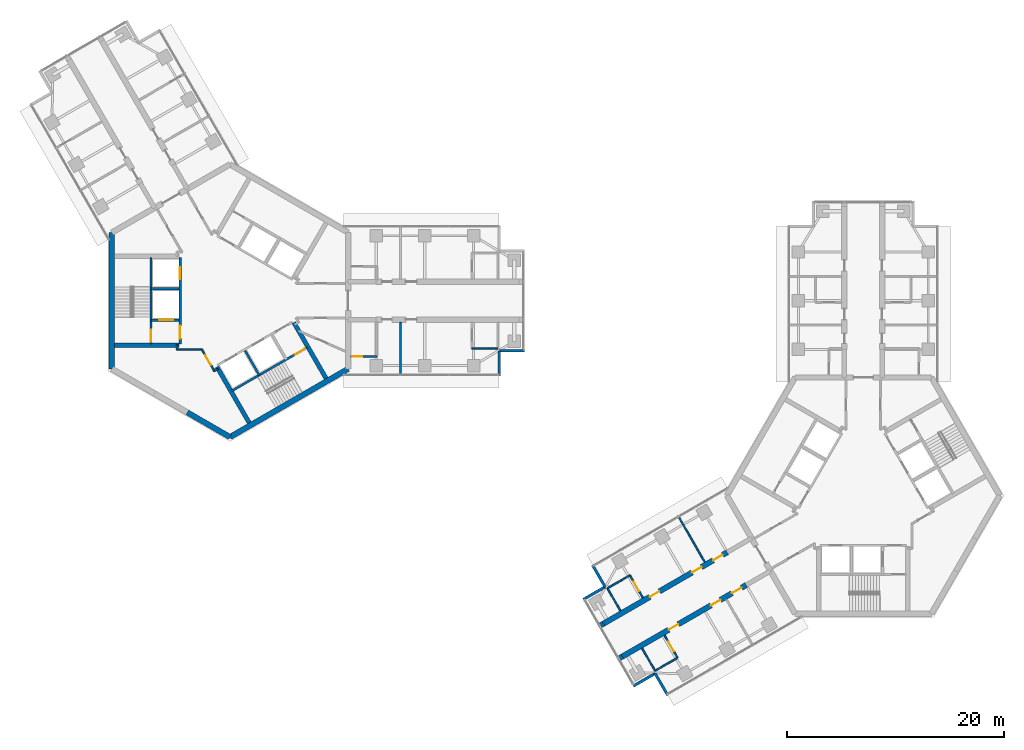
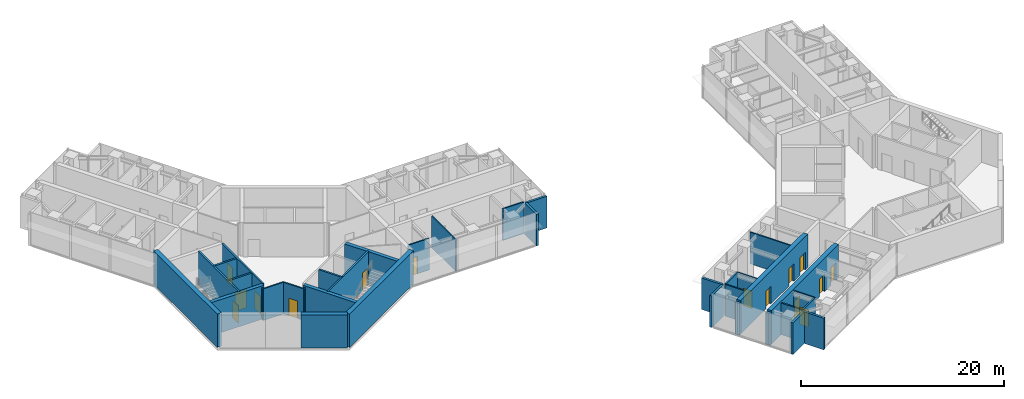
# One storey, part 11 of 17: 36 walls, 15 doors, 15 openings.
"""IFC4 building model written with IfcOpenShell, lengths in metres."""

from ifc_helpers import new_model, si_unit, direction, frame, frame_2d, origin, place, context, subcontext, project, spatial, rectangle, extrude, material, layer, layer_set, type_object, element, fill, save


model = new_model("IFC4")

# Units and contexts
model_context = context("Model", 3, precision=1e-05, world=origin(), true_north=direction((0.0, 1.0)))
body_context = subcontext(model_context, "Body", "Model", "MODEL_VIEW")
ifc_project = project(units=[si_unit("LENGTHUNIT", "METRE"), si_unit("AREAUNIT", "SQUARE_METRE"), si_unit("VOLUMEUNIT", "CUBIC_METRE"), si_unit("PLANEANGLEUNIT", "RADIAN"), si_unit("MASSUNIT", "GRAM", prefix="KILO")], contexts=[model_context])

# Site, building, storey
site_placement = place(None, origin())
site = spatial("IfcSite", under=ifc_project, at=site_placement, CompositionType="ELEMENT")
building_placement = place(site_placement, origin())
building = spatial("IfcBuilding", under=site, at=building_placement, Name="Upepo Twin Towers", CompositionType="ELEMENT")
storey_placement = place(building_placement, frame((0.0, 0.0, 198.5)))
storey = spatial("IfcBuildingStorey", under=building, at=storey_placement, Name="L48", CompositionType="ELEMENT", Elevation=198.5)

# Walls
ifc_material_1 = material(Name="Dense concrete blockwork", Category="masonry")
ifc_layer_1 = layer(ifc_material_1, 0.5)
ifc_layer_set_1 = layer_set([ifc_layer_1], Name="Buttress closer 500, blockwork with fire-stopping to the curtain wall")
wall_type_1 = type_object("IfcWallType", Name="Buttress closer 500, blockwork with fire-stopping to the curtain wall", PredefinedType="PARTITIONING", material=ifc_layer_set_1)
for number, where, z_axis, x_axis, name in (
    (1, (36.252197265625, -32.865478515625, 0.0), (0.0, 0.0, 1.0), (-0.86598763626, -0.500065409566, 0.0), "T2 L48 wing B buttress closer L"),
    (2, (34.502197265625, -29.83447265625, 0.0), (0.0, 0.0, 1.0), (-0.86598763626, -0.500065409566, 0.0), "T2 L48 wing B buttress closer R"),
):
    element("IfcWall", number, at=place(storey_placement, frame(where, z_axis=z_axis, x_axis=x_axis)), inside=storey, type_object=wall_type_1, Name=name, PredefinedType="PARTITIONING", context=body_context, shape_type="SweptSolid", body=[
        extrude(rectangle(XDim=0.28759765625, YDim=0.5, at=frame_2d((0.143798828125, 0.0))), origin(), (0.0, 0.0, 1.0), 3.800048828125),
    ])

# Wall, openings, doors
ifc_material_2 = material(Name="Concrete C60/75", Category="concrete")
ifc_layer_2 = layer(ifc_material_2, 0.5)
ifc_layer_set_2 = layer_set([ifc_layer_2], Name="Concrete C60/75")
wall_type_2 = type_object("IfcWallType", Name="Buttress wall 500 RC", PredefinedType="SHEAR", material=ifc_layer_set_2)
wall_1_placement = place(storey_placement, frame((47.68359375, -26.265625, 0.0), z_axis=(0.0, 0.0, 1.0), x_axis=(-0.866027579429, -0.499996231654, 0.0)))
wall_1 = element("IfcWall", 3, at=wall_1_placement, inside=storey, type_object=wall_type_2, Name="T2 wing B buttress wall L part 2", PredefinedType="SHEAR", context=body_context, shape_type="SweptSolid", body=[
    extrude(rectangle(XDim=13.19970703125, YDim=0.5, at=frame_2d((6.599853515625, 0.0))), origin(), (0.0, 0.0, 1.0), 4.0),
])
opening_1_placement = place(wall_1_placement, frame((0.5, 0.0, 0.0)))
opening_1 = element("IfcOpeningElement", 4, at=opening_1_placement, cuts=wall_1, Name="Opening D1", PredefinedType="OPENING", context=body_context, shape_type="SweptSolid", body=[
    extrude(rectangle(XDim=1.0, YDim=2.10009765625, at=frame_2d((0.5, 1.050048828125))), frame((0.0, 0.260009765625, 0.0), z_axis=(0.0, -1.0, 0.0), x_axis=(1.0, 0.0, 0.0)), (0.0, 0.0, 1.0), 0.52001953125),
])
opening_2_placement = place(wall_1_placement, frame((2.75, 0.0, 0.0)))
opening_2 = element("IfcOpeningElement", 5, at=opening_2_placement, cuts=wall_1, Name="Opening D1", PredefinedType="OPENING", context=body_context, shape_type="SweptSolid", body=[
    extrude(rectangle(XDim=1.0, YDim=2.10009765625, at=frame_2d((0.5, 1.050048828125))), frame((0.0, 0.260009765625, 0.0), z_axis=(0.0, -1.0, 0.0), x_axis=(1.0, 0.0, 0.0)), (0.0, 0.0, 1.0), 0.52001953125),
])
opening_3_placement = place(wall_1_placement, frame((7.25, 0.0, 0.0)))
opening_3 = element("IfcOpeningElement", 6, at=opening_3_placement, cuts=wall_1, Name="Opening D1", PredefinedType="OPENING", context=body_context, shape_type="SweptSolid", body=[
    extrude(rectangle(XDim=1.0, YDim=2.10009765625, at=frame_2d((0.5, 1.050048828125))), frame((0.0, 0.260009765625, 0.0), z_axis=(0.0, -1.0, 0.0), x_axis=(1.0, 0.0, 0.0)), (0.0, 0.0, 1.0), 0.52001953125),
])
ifc_material_3 = material(Name="Timber doorset", Category="wood")
door_type_1 = type_object("IfcDoorType", Name="Room door 1000 FD30", OperationType="SINGLE_SWING_LEFT", PredefinedType="DOOR", material=ifc_material_3)
door_1_placement = place(opening_1_placement, origin())
door_1 = element("IfcDoor", 7, at=door_1_placement, inside=storey, type_object=door_type_1, Name="T2 L48 tutorial room door", OperationType="SINGLE_SWING_LEFT", OverallHeight=2.10009765625, OverallWidth=1.0, PredefinedType="DOOR", context=body_context, shape_type="SweptSolid", body=[
    extrude(rectangle(XDim=1.0, YDim=2.10009765625, at=frame_2d((0.5, 1.050048828125))), frame((0.0, 0.02490234375, 0.0), z_axis=(0.0, -1.0, 0.0), x_axis=(1.0, 0.0, 0.0)), (0.0, 0.0, 1.0), 0.050048828125),
])
fill(opening_1, door_1)
door_2_placement = place(opening_2_placement, origin())
door_2 = element("IfcDoor", 8, at=door_2_placement, inside=storey, type_object=door_type_1, Name="T2 L48 business school suite door", OperationType="SINGLE_SWING_LEFT", OverallHeight=2.10009765625, OverallWidth=1.0, PredefinedType="DOOR", context=body_context, shape_type="SweptSolid", body=[
    extrude(rectangle(XDim=1.0, YDim=2.10009765625, at=frame_2d((0.5, 1.050048828125))), frame((0.0, 0.02490234375, 0.0), z_axis=(0.0, -1.0, 0.0), x_axis=(1.0, 0.0, 0.0)), (0.0, 0.0, 1.0), 0.050048828125),
])
fill(opening_2, door_2)
door_3_placement = place(opening_3_placement, origin())
door_3 = element("IfcDoor", 9, at=door_3_placement, inside=storey, type_object=door_type_1, Name="T2 L48 business school suite door", OperationType="SINGLE_SWING_RIGHT", OverallHeight=2.10009765625, OverallWidth=1.0, PredefinedType="DOOR", context=body_context, shape_type="SweptSolid", body=[
    extrude(rectangle(XDim=1.0, YDim=2.10009765625, at=frame_2d((0.5, 1.050048828125))), frame((0.0, 0.02490234375, 0.0), z_axis=(0.0, -1.0, 0.0), x_axis=(1.0, 0.0, 0.0)), (0.0, 0.0, 1.0), 0.050048828125),
])
fill(opening_3, door_3)

wall_2_placement = place(storey_placement, frame((45.93359375, -23.234375, 0.0), z_axis=(0.0, 0.0, 1.0), x_axis=(-0.866019570528, -0.500010103361, 0.0)))
wall_2 = element("IfcWall", 10, at=wall_2_placement, inside=storey, type_object=wall_type_2, Name="T2 wing B buttress wall R part 2", PredefinedType="SHEAR", context=body_context, shape_type="SweptSolid", body=[
    extrude(rectangle(XDim=13.199951171875, YDim=0.5, at=frame_2d((6.60009765625, 0.0))), origin(), (0.0, 0.0, 1.0), 4.0),
])
opening_4_placement = place(wall_2_placement, frame((0.5, 0.0, 0.0)))
opening_4 = element("IfcOpeningElement", 11, at=opening_4_placement, cuts=wall_2, Name="Opening D1", PredefinedType="OPENING", context=body_context, shape_type="SweptSolid", body=[
    extrude(rectangle(XDim=1.0, YDim=2.10009765625, at=frame_2d((0.5, 1.050048828125))), frame((0.0, 0.260009765625, 0.0), z_axis=(0.0, -1.0, 0.0), x_axis=(1.0, 0.0, 0.0)), (0.0, 0.0, 1.0), 0.52001953125),
])
opening_5_placement = place(wall_2_placement, frame((2.75, 0.0, 0.0)))
opening_5 = element("IfcOpeningElement", 12, at=opening_5_placement, cuts=wall_2, Name="Opening D1", PredefinedType="OPENING", context=body_context, shape_type="SweptSolid", body=[
    extrude(rectangle(XDim=1.0, YDim=2.10009765625, at=frame_2d((0.5, 1.050048828125))), frame((0.0, 0.260009765625, 0.0), z_axis=(0.0, -1.0, 0.0), x_axis=(1.0, 0.0, 0.0)), (0.0, 0.0, 1.0), 0.52001953125),
])
opening_6_placement = place(wall_2_placement, frame((7.25, 0.0, 0.0)))
opening_6 = element("IfcOpeningElement", 13, at=opening_6_placement, cuts=wall_2, Name="Opening D1", PredefinedType="OPENING", context=body_context, shape_type="SweptSolid", body=[
    extrude(rectangle(XDim=1.0, YDim=2.10009765625, at=frame_2d((0.5, 1.050048828125))), frame((0.0, 0.260009765625, 0.0), z_axis=(0.0, -1.0, 0.0), x_axis=(1.0, 0.0, 0.0)), (0.0, 0.0, 1.0), 0.52001953125),
])
door_4_placement = place(opening_4_placement, origin())
door_4 = element("IfcDoor", 14, at=door_4_placement, inside=storey, type_object=door_type_1, Name="T2 L48 staff office door", OperationType="SINGLE_SWING_LEFT", OverallHeight=2.10009765625, OverallWidth=1.0, PredefinedType="DOOR", context=body_context, shape_type="SweptSolid", body=[
    extrude(rectangle(XDim=1.0, YDim=2.10009765625, at=frame_2d((0.5, 1.050048828125))), frame((0.0, 0.02490234375, 0.0), z_axis=(0.0, -1.0, 0.0), x_axis=(1.0, 0.0, 0.0)), (0.0, 0.0, 1.0), 0.050048828125),
])
fill(opening_4, door_4)
door_5_placement = place(opening_5_placement, origin())
door_5 = element("IfcDoor", 15, at=door_5_placement, inside=storey, type_object=door_type_1, Name="T2 L48 business school suite door", OperationType="SINGLE_SWING_LEFT", OverallHeight=2.10009765625, OverallWidth=1.0, PredefinedType="DOOR", context=body_context, shape_type="SweptSolid", body=[
    extrude(rectangle(XDim=1.0, YDim=2.10009765625, at=frame_2d((0.5, 1.050048828125))), frame((0.0, 0.02490234375, 0.0), z_axis=(0.0, -1.0, 0.0), x_axis=(1.0, 0.0, 0.0)), (0.0, 0.0, 1.0), 0.050048828125),
])
fill(opening_5, door_5)
door_6_placement = place(opening_6_placement, origin())
door_6 = element("IfcDoor", 16, at=door_6_placement, inside=storey, type_object=door_type_1, Name="T2 L48 business school suite door", OperationType="SINGLE_SWING_RIGHT", OverallHeight=2.10009765625, OverallWidth=1.0, PredefinedType="DOOR", context=body_context, shape_type="SweptSolid", body=[
    extrude(rectangle(XDim=1.0, YDim=2.10009765625, at=frame_2d((0.5, 1.050048828125))), frame((0.0, 0.02490234375, 0.0), z_axis=(0.0, -1.0, 0.0), x_axis=(1.0, 0.0, 0.0)), (0.0, 0.0, 1.0), 0.050048828125),
])
fill(opening_6, door_6)

# Walls
ifc_material_4 = material(Name="Concrete C60/75", Category="concrete")
ifc_layer_3 = layer(ifc_material_4, 0.5)
ifc_layer_set_3 = layer_set([ifc_layer_3], Name="Concrete C60/75")
wall_type_3 = type_object("IfcWallType", Name="Core wall 500 RC", PredefinedType="SHEAR", material=ifc_layer_set_3)
wall_3_placement = place(storey_placement, frame((-10.908447265625, 6.2978515625, 0.0), z_axis=(0.0, 0.0, 1.0), x_axis=(0.0, -1.0, 0.0)))
element("IfcWall", 17, at=wall_3_placement, inside=storey, type_object=wall_type_3, Name="T1 core wall 180", PredefinedType="SHEAR", context=body_context, shape_type="SweptSolid", body=[
    extrude(rectangle(XDim=12.595703125, YDim=0.5, at=frame_2d((6.2978515625, 0.0))), origin(), (0.0, 0.0, 1.0), 4.0),
])
wall_4_placement = place(storey_placement, frame((-3.938720703125, -10.32177734375, 0.0), z_axis=(0.0, 0.0, 1.0), x_axis=(0.866011268655, -0.500024481964, 0.0)))
element("IfcWall", 18, at=wall_4_placement, inside=storey, type_object=wall_type_3, Name="T1 core wall 240 L", PredefinedType="SHEAR", context=body_context, shape_type="SweptSolid", body=[
    extrude(rectangle(XDim=4.548095703125, YDim=0.5, at=frame_2d((2.27392578125, 0.0))), origin(), (0.0, 0.0, 1.0), 4.0),
])
wall_5_placement = place(storey_placement, frame((0.0, -12.595947265625, 0.0), z_axis=(0.0, 0.0, 1.0), x_axis=(0.866021940709, 0.500005998175, 0.0)))
element("IfcWall", 19, at=wall_5_placement, inside=storey, type_object=wall_type_3, Name="T1 core wall 300", PredefinedType="SHEAR", context=body_context, shape_type="SweptSolid", body=[
    extrude(rectangle(XDim=12.595947265625, YDim=0.5, at=frame_2d((6.2978515625, 0.0))), origin(), (0.0, 0.0, 1.0), 4.0),
])
ifc_material_5 = material(Name="Blockwork with anodised aluminium cladding", Category="masonry")
ifc_layer_4 = layer(ifc_material_5, 0.25)
ifc_layer_set_4 = layer_set([ifc_layer_4], Name="Notch cladding wall 250, pale metal")
wall_type_4 = type_object("IfcWallType", Name="Notch cladding wall 250, pale metal", PredefinedType="STANDARD", material=ifc_layer_set_4)
for number, where, z_axis, x_axis, name in (
    (20, (24.875, -6.949951171875, 0.0), (0.0, 0.0, 1.0), (0.0, 1.0, 0.0), "T1 L48 wing A notch wall R1"),
    (21, (24.875, -4.625, 0.0), (0.0, 0.0, 1.0), (1.0, 0.0, 0.0), "T1 L48 wing A notch wall R2"),
    (22, (40.4326171875, -36.456298828125, 0.0), (0.0, 0.0, 1.0), (-0.500046648681, 0.865998469481, 0.0), "T2 L48 wing B notch wall L1"),
    (23, (39.27001953125, -34.44287109375, 0.0), (0.0, 0.0, 1.0), (-0.865998469481, -0.500046648681, 0.0), "T2 L48 wing B notch wall L2"),
    (24, (33.482666015625, -24.418701171875, 0.0), (0.0, 0.0, 1.0), (0.499967891604, -0.866043940782, 0.0), "T2 L48 wing B notch wall R1"),
    (25, (34.64501953125, -26.43212890625, 0.0), (0.0, 0.0, 1.0), (-0.865998469481, -0.500046648681, 0.0), "T2 L48 wing B notch wall R2"),
):
    element("IfcWall", number, at=place(storey_placement, frame(where, z_axis=z_axis, x_axis=x_axis)), inside=storey, type_object=wall_type_4, Name=name, PredefinedType="STANDARD", context=body_context, shape_type="SweptSolid", body=[
        extrude(rectangle(XDim=2.324951171875, YDim=0.25, at=frame_2d((1.16259765625, 0.0))), origin(), (0.0, 0.0, 1.0), 3.800048828125),
    ])

# Wall, openings, doors
ifc_material_6 = material(Name="Concrete C40/50", Category="concrete")
ifc_layer_5 = layer(ifc_material_6, 0.199951171875)
ifc_layer_set_5 = layer_set([ifc_layer_5], Name="Concrete C40/50")
wall_type_5 = type_object("IfcWallType", Name="Shaft wall 200 RC", PredefinedType="SHEAR", material=ifc_layer_set_5)
wall_6_placement = place(storey_placement, frame((-4.60009765625, 4.0, 0.0), z_axis=(0.0, 0.0, 1.0), x_axis=(0.0, -1.0, 0.0)))
wall_6 = element("IfcWall", 26, at=wall_6_placement, inside=storey, type_object=wall_type_5, Name="T1 core W180 front wall", PredefinedType="SHEAR", context=body_context, shape_type="SweptSolid", body=[
    extrude(rectangle(XDim=8.0, YDim=0.199951171875, at=frame_2d((4.0, 0.0))), origin(), (0.0, 0.0, 1.0), 4.0),
])
opening_7_placement = place(wall_6_placement, frame((6.300048828125, 0.0, 0.0)))
opening_7 = element("IfcOpeningElement", 27, at=opening_7_placement, cuts=wall_6, Name="Opening D4", PredefinedType="OPENING", context=body_context, shape_type="SweptSolid", body=[
    extrude(rectangle(XDim=1.199951171875, YDim=2.10009765625, at=frame_2d((0.60009765625, 1.050048828125))), frame((0.0, 0.10986328125, 0.0), z_axis=(0.0, -1.0, 0.0), x_axis=(1.0, 0.0, 0.0)), (0.0, 0.0, 1.0), 0.219970703125),
])
opening_8_placement = place(wall_6_placement, frame((0.89990234375, 0.0, 0.0)))
opening_8 = element("IfcOpeningElement", 28, at=opening_8_placement, cuts=wall_6, Name="Opening LD1", PredefinedType="OPENING", context=body_context, shape_type="SweptSolid", body=[
    extrude(rectangle(XDim=1.10009765625, YDim=2.199951171875, at=frame_2d((0.550048828125, 1.10009765625))), frame((0.0, 0.10986328125, 0.0), z_axis=(0.0, -1.0, 0.0), x_axis=(1.0, 0.0, 0.0)), (0.0, 0.0, 1.0), 0.219970703125),
])
ifc_material_7 = material(Name="Steel doorset", Category="steel")
door_type_2 = type_object("IfcDoorType", Name="Lift landing door 1100", OperationType="DOUBLE_DOOR_SLIDING", PredefinedType="DOOR", material=ifc_material_7)
door_7_placement = place(opening_8_placement, origin())
door_7 = element("IfcDoor", 29, at=door_7_placement, inside=storey, type_object=door_type_2, Name="T1 L48 lift SV1 landing door", OperationType="DOUBLE_DOOR_SLIDING", OverallHeight=2.199951171875, OverallWidth=1.10009765625, PredefinedType="DOOR", context=body_context, shape_type="SweptSolid", body=[
    extrude(rectangle(XDim=1.10009765625, YDim=2.199951171875, at=frame_2d((0.550048828125, 1.10009765625))), frame((0.0, 0.02490234375, 0.0), z_axis=(0.0, -1.0, 0.0), x_axis=(1.0, 0.0, 0.0)), (0.0, 0.0, 1.0), 0.050048828125),
])
fill(opening_8, door_7)
ifc_material_8 = material(Name="Timber doorset", Category="wood")
door_type_3 = type_object("IfcDoorType", Name="Lobby door 1200 FD60", OperationType="SINGLE_SWING_LEFT", PredefinedType="DOOR", material=ifc_material_8)
door_8_placement = place(opening_7_placement, origin())
door_8 = element("IfcDoor", 30, at=door_8_placement, inside=storey, type_object=door_type_3, Name="T1 L48 W180 lobby door", OperationType="SINGLE_SWING_RIGHT", OverallHeight=2.10009765625, OverallWidth=1.199951171875, PredefinedType="DOOR", context=body_context, shape_type="SweptSolid", body=[
    extrude(rectangle(XDim=1.199951171875, YDim=2.10009765625, at=frame_2d((0.60009765625, 1.050048828125))), frame((0.0, 0.02490234375, 0.0), z_axis=(0.0, -1.0, 0.0), x_axis=(1.0, 0.0, 0.0)), (0.0, 0.0, 1.0), 0.050048828125),
])
fill(opening_7, door_8)

# Wall
wall_7_placement = place(storey_placement, frame((-4.699951171875, 1.10009765625, 0.0), z_axis=(0.0, 0.0, 1.0), x_axis=(-1.0, 0.0, 0.0)))
element("IfcWall", 31, at=wall_7_placement, inside=storey, type_object=wall_type_5, Name="T1 core W180 shaft divider", PredefinedType="SHEAR", context=body_context, shape_type="SweptSolid", body=[
    extrude(rectangle(XDim=2.60009765625, YDim=0.199951171875, at=frame_2d((1.300048828125, 0.0))), origin(), (0.0, 0.0, 1.0), 4.0),
])

# Wall, opening, door
wall_8_placement = place(storey_placement, frame((-4.699951171875, -1.800048828125, 0.0), z_axis=(0.0, 0.0, 1.0), x_axis=(-1.0, 0.0, 0.0)))
wall_8 = element("IfcWall", 32, at=wall_8_placement, inside=storey, type_object=wall_type_5, Name="T1 core W180 lobby wall", PredefinedType="SHEAR", context=body_context, shape_type="SweptSolid", body=[
    extrude(rectangle(XDim=2.60009765625, YDim=0.199951171875, at=frame_2d((1.300048828125, 0.0))), origin(), (0.0, 0.0, 1.0), 4.0),
])
opening_9_placement = place(wall_8_placement, frame((0.550048828125, 0.0, 0.0)))
opening_9 = element("IfcOpeningElement", 33, at=opening_9_placement, cuts=wall_8, Name="Opening LD2", PredefinedType="OPENING", context=body_context, shape_type="SweptSolid", body=[
    extrude(rectangle(XDim=1.300048828125, YDim=2.199951171875, at=frame_2d((0.64990234375, 1.10009765625))), frame((0.0, 0.10986328125, 0.0), z_axis=(0.0, -1.0, 0.0), x_axis=(1.0, 0.0, 0.0)), (0.0, 0.0, 1.0), 0.219970703125),
])
ifc_material_9 = material(Name="Steel doorset", Category="steel")
door_type_4 = type_object("IfcDoorType", Name="Firefighting lift landing door 1300", OperationType="DOUBLE_DOOR_SLIDING", PredefinedType="DOOR", material=ifc_material_9)
door_9_placement = place(opening_9_placement, origin())
door_9 = element("IfcDoor", 34, at=door_9_placement, inside=storey, type_object=door_type_4, Name="T1 L48 firefighting lift landing door", OperationType="DOUBLE_DOOR_SLIDING", OverallHeight=2.199951171875, OverallWidth=1.300048828125, PredefinedType="DOOR", context=body_context, shape_type="SweptSolid", body=[
    extrude(rectangle(XDim=1.300048828125, YDim=2.199951171875, at=frame_2d((0.64990234375, 1.10009765625))), frame((0.0, 0.02490234375, 0.0), z_axis=(0.0, -1.0, 0.0), x_axis=(1.0, 0.0, 0.0)), (0.0, 0.0, 1.0), 0.050048828125),
])
fill(opening_9, door_9)

wall_9_placement = place(storey_placement, frame((-7.300048828125, 4.0, 0.0), z_axis=(0.0, 0.0, 1.0), x_axis=(0.0, -1.0, 0.0)))
wall_9 = element("IfcWall", 35, at=wall_9_placement, inside=storey, type_object=wall_type_5, Name="T1 core W180 stair wall", PredefinedType="SHEAR", context=body_context, shape_type="SweptSolid", body=[
    extrude(rectangle(XDim=8.0, YDim=0.199951171875, at=frame_2d((4.0, 0.0))), origin(), (0.0, 0.0, 1.0), 4.0),
])
opening_10_placement = place(wall_9_placement, frame((6.699951171875, 0.0, 0.0)))
opening_10 = element("IfcOpeningElement", 36, at=opening_10_placement, cuts=wall_9, Name="Opening D3", PredefinedType="OPENING", context=body_context, shape_type="SweptSolid", body=[
    extrude(rectangle(XDim=1.10009765625, YDim=2.10009765625, at=frame_2d((0.550048828125, 1.050048828125))), frame((0.0, 0.10986328125, 0.0), z_axis=(0.0, -1.0, 0.0), x_axis=(1.0, 0.0, 0.0)), (0.0, 0.0, 1.0), 0.219970703125),
])
ifc_material_10 = material(Name="Timber doorset", Category="wood")
door_type_5 = type_object("IfcDoorType", Name="Stair door 1100 FD60", OperationType="SINGLE_SWING_LEFT", PredefinedType="DOOR", material=ifc_material_10)
door_10_placement = place(opening_10_placement, origin())
door_10 = element("IfcDoor", 37, at=door_10_placement, inside=storey, type_object=door_type_5, Name="T1 L48 stair door", OperationType="SINGLE_SWING_RIGHT", OverallHeight=2.10009765625, OverallWidth=1.10009765625, PredefinedType="DOOR", context=body_context, shape_type="SweptSolid", body=[
    extrude(rectangle(XDim=1.10009765625, YDim=2.10009765625, at=frame_2d((0.550048828125, 1.050048828125))), frame((0.0, 0.02490234375, 0.0), z_axis=(0.0, -1.0, 0.0), x_axis=(1.0, 0.0, 0.0)), (0.0, 0.0, 1.0), 0.050048828125),
])
fill(opening_10, door_10)

# Wall
wall_10_placement = place(storey_placement, frame((1.3974609375, -4.620361328125, 0.0), z_axis=(0.0, 0.0, 1.0), x_axis=(0.499936506574, -0.866062058628, 0.0)))
element("IfcWall", 38, at=wall_10_placement, inside=storey, type_object=wall_type_5, Name="T1 core W300 shaft divider", PredefinedType="SHEAR", context=body_context, shape_type="SweptSolid", body=[
    extrude(rectangle(XDim=2.599853515625, YDim=0.199951171875, at=frame_2d((1.2998046875, 0.0))), origin(), (0.0, 0.0, 1.0), 4.0),
])

# Wall, opening, door
wall_11_placement = place(storey_placement, frame((0.185791015625, -8.322021484375, 0.0), z_axis=(0.0, 0.0, 1.0), x_axis=(0.866026010844, 0.49999894854, 0.0)))
wall_11 = element("IfcWall", 39, at=wall_11_placement, inside=storey, type_object=wall_type_5, Name="T1 core W300 stair wall", PredefinedType="SHEAR", context=body_context, shape_type="SweptSolid", body=[
    extrude(rectangle(XDim=8.0, YDim=0.199951171875, at=frame_2d((4.0, 0.0))), origin(), (0.0, 0.0, 1.0), 4.0),
])
opening_11_placement = place(wall_11_placement, frame((6.699951171875, 0.0, 0.0)))
opening_11 = element("IfcOpeningElement", 40, at=opening_11_placement, cuts=wall_11, Name="Opening D3", PredefinedType="OPENING", context=body_context, shape_type="SweptSolid", body=[
    extrude(rectangle(XDim=1.10009765625, YDim=2.10009765625, at=frame_2d((0.550048828125, 1.050048828125))), frame((0.0, 0.10986328125, 0.0), z_axis=(0.0, -1.0, 0.0), x_axis=(1.0, 0.0, 0.0)), (0.0, 0.0, 1.0), 0.219970703125),
])
door_11_placement = place(opening_11_placement, origin())
door_11 = element("IfcDoor", 41, at=door_11_placement, inside=storey, type_object=door_type_5, Name="T1 L48 stair door", OperationType="SINGLE_SWING_RIGHT", OverallHeight=2.10009765625, OverallWidth=1.10009765625, PredefinedType="DOOR", context=body_context, shape_type="SweptSolid", body=[
    extrude(rectangle(XDim=1.10009765625, YDim=2.10009765625, at=frame_2d((0.550048828125, 1.050048828125))), frame((0.0, 0.02490234375, 0.0), z_axis=(0.0, -1.0, 0.0), x_axis=(1.0, 0.0, 0.0)), (0.0, 0.0, 1.0), 0.050048828125),
])
fill(opening_11, door_11)

# Walls
ifc_material_11 = material(Name="Concrete C40/50", Category="concrete")
ifc_layer_6 = layer(ifc_material_11, 0.39990234375)
ifc_layer_set_6 = layer_set([ifc_layer_6], Name="Concrete C40/50")
wall_type_6 = type_object("IfcWallType", Name="Shaft wall 400 RC", PredefinedType="SHEAR", material=ifc_layer_set_6)
for number, where, z_axis, x_axis, name in (
    (42, (-4.699951171875, -4.10009765625, 0.0), (0.0, 0.0, 1.0), (-1.0, 0.0, 0.0), "T1 core W180 side wall N"),
    (43, (5.900634765625, -2.020263671875, 0.0), (0.0, 0.0, 1.0), (0.500003832394, -0.86602319114, 0.0), "T1 core W300 side wall N"),
):
    element("IfcWall", number, at=place(storey_placement, frame(where, z_axis=z_axis, x_axis=x_axis)), inside=storey, type_object=wall_type_6, Name=name, PredefinedType="SHEAR", context=body_context, shape_type="SweptSolid", body=[
        extrude(rectangle(XDim=5.95849609375, YDim=0.39990234375, at=frame_2d((2.979248046875, 0.0))), origin(), (0.0, 0.0, 1.0), 4.0),
    ])
wall_12_placement = place(storey_placement, frame((-1.20068359375, -6.120361328125, 0.0), z_axis=(0.0, 0.0, 1.0), x_axis=(0.500021575205, -0.866012946976, 0.0)))
element("IfcWall", 44, at=wall_12_placement, inside=storey, type_object=wall_type_6, Name="T1 core W300 side wall S", PredefinedType="SHEAR", context=body_context, shape_type="SweptSolid", body=[
    extrude(rectangle(XDim=5.958251953125, YDim=0.39990234375, at=frame_2d((2.97900390625, 0.0))), origin(), (0.0, 0.0, 1.0), 4.0),
])
ifc_material_12 = material(Name="Gypsum board on steel studs", Category="steel")
ifc_layer_7 = layer(ifc_material_12, 0.14990234375)
ifc_layer_set_7 = layer_set([ifc_layer_7], Name="Teaching partition 150 acoustic")
wall_type_7 = type_object("IfcWallType", Name="Teaching partition 150 acoustic", PredefinedType="PARTITIONING", material=ifc_layer_set_7)
wall_13_placement = place(storey_placement, frame((15.75, -2.0, 0.0), z_axis=(0.0, 0.0, 1.0), x_axis=(0.0, -1.0, 0.0)))
element("IfcWall", 45, at=wall_13_placement, inside=storey, type_object=wall_type_7, Name="T1 partition AR at 15.75", PredefinedType="PARTITIONING", context=body_context, shape_type="SweptSolid", body=[
    extrude(rectangle(XDim=4.75, YDim=0.14990234375, at=frame_2d((2.375, 0.0))), origin(), (0.0, 0.0, 1.0), 3.800048828125),
])
wall_14_placement = place(storey_placement, frame((22.35009765625, -4.39990234375, 0.0), z_axis=(0.0, 0.0, 1.0), x_axis=(1.0, 0.0, 0.0)))
element("IfcWall", 46, at=wall_14_placement, inside=storey, type_object=wall_type_7, Name="T1 inner room partition AR at 22.35", PredefinedType="PARTITIONING", context=body_context, shape_type="SweptSolid", body=[
    extrude(rectangle(XDim=2.39990234375, YDim=0.14990234375, at=frame_2d((1.199951171875, 0.0))), origin(), (0.0, 0.0, 1.0), 3.800048828125),
])

# Wall, opening, door
wall_15_placement = place(storey_placement, frame((11.157958984375, -5.14990234375, 0.0), z_axis=(0.0, 0.0, 1.0), x_axis=(1.0, 0.0, 0.0)))
wall_15 = element("IfcWall", 47, at=wall_15_placement, inside=storey, type_object=wall_type_7, Name="T1 WC bay partition AR at 11.16", PredefinedType="PARTITIONING", context=body_context, shape_type="SweptSolid", body=[
    extrude(rectangle(XDim=2.400146484375, YDim=0.14990234375, at=frame_2d((1.2001953125, 0.0))), origin(), (0.0, 0.0, 1.0), 3.800048828125),
])
opening_12_placement = place(wall_15_placement, frame((0.14990234375, 0.0, 0.0)))
opening_12 = element("IfcOpeningElement", 48, at=opening_12_placement, cuts=wall_15, Name="Opening D14", PredefinedType="OPENING", context=body_context, shape_type="SweptSolid", body=[
    extrude(rectangle(XDim=0.89990234375, YDim=2.10009765625, at=frame_2d((0.449951171875, 1.050048828125))), frame((0.0, 0.0849609375, 0.0), z_axis=(0.0, -1.0, 0.0), x_axis=(1.0, 0.0, 0.0)), (0.0, 0.0, 1.0), 0.169921875),
])
ifc_material_13 = material(Name="Timber doorset", Category="wood")
door_type_6 = type_object("IfcDoorType", Name="Office door 900 FD30", OperationType="SINGLE_SWING_LEFT", PredefinedType="DOOR", material=ifc_material_13)
door_12_placement = place(opening_12_placement, origin())
door_12 = element("IfcDoor", 49, at=door_12_placement, inside=storey, type_object=door_type_6, Name="T1 L48 WC bay inner room door", OperationType="SINGLE_SWING_LEFT", OverallHeight=2.10009765625, OverallWidth=0.89990234375, PredefinedType="DOOR", context=body_context, shape_type="SweptSolid", body=[
    extrude(rectangle(XDim=0.89990234375, YDim=2.10009765625, at=frame_2d((0.449951171875, 1.050048828125))), frame((0.0, 0.02490234375, 0.0), z_axis=(0.0, -1.0, 0.0), x_axis=(1.0, 0.0, 0.0)), (0.0, 0.0, 1.0), 0.050048828125),
])
fill(opening_12, door_12)

# Wall
wall_16_placement = place(storey_placement, frame((-1.092041015625, -6.28857421875, 0.0), z_axis=(0.0, 0.0, 1.0), x_axis=(-0.866138304741, -0.499804398801, 0.0)))
element("IfcWall", 50, at=wall_16_placement, inside=storey, type_object=wall_type_7, Name="T1 core room partition 2", PredefinedType="PARTITIONING", context=body_context, shape_type="SweptSolid", body=[
    extrude(rectangle(XDim=0.429931640625, YDim=0.14990234375, at=frame_2d((0.21484375, 0.0))), origin(), (0.0, 0.0, 1.0), 3.800048828125),
])

# Wall, opening, door
wall_17_placement = place(storey_placement, frame((-1.43701171875, -6.5107421875, 0.0), z_axis=(0.0, 0.0, 1.0), x_axis=(-0.500074377092, 0.865982457891, 0.0)))
wall_17 = element("IfcWall", 51, at=wall_17_placement, inside=storey, type_object=wall_type_7, Name="T1 core room partition 3", PredefinedType="PARTITIONING", context=body_context, shape_type="SweptSolid", body=[
    extrude(rectangle(XDim=2.342041015625, YDim=0.14990234375, at=frame_2d((1.1708984375, 0.0))), origin(), (0.0, 0.0, 1.0), 3.800048828125),
])
opening_13_placement = place(wall_17_placement, frame((0.6708984375, 0.0, 0.0)))
opening_13 = element("IfcOpeningElement", 52, at=opening_13_placement, cuts=wall_17, Name="Opening D1", PredefinedType="OPENING", context=body_context, shape_type="SweptSolid", body=[
    extrude(rectangle(XDim=1.0, YDim=2.10009765625, at=frame_2d((0.5, 1.050048828125))), frame((0.0, 0.0849609375, 0.0), z_axis=(0.0, -1.0, 0.0), x_axis=(1.0, 0.0, 0.0)), (0.0, 0.0, 1.0), 0.169921875),
])
door_13_placement = place(opening_13_placement, origin())
door_13 = element("IfcDoor", 53, at=door_13_placement, inside=storey, type_object=door_type_1, Name="T1 L48 core room door K1", OperationType="SINGLE_SWING_RIGHT", OverallHeight=2.10009765625, OverallWidth=1.0, PredefinedType="DOOR", context=body_context, shape_type="SweptSolid", body=[
    extrude(rectangle(XDim=1.0, YDim=2.10009765625, at=frame_2d((0.5, 1.050048828125))), frame((0.0, 0.02490234375, 0.0), z_axis=(0.0, -1.0, 0.0), x_axis=(1.0, 0.0, 0.0)), (0.0, 0.0, 1.0), 0.050048828125),
])
fill(opening_13, door_13)

# Walls
wall_18_placement = place(storey_placement, frame((-2.578125, -4.5, 0.0), z_axis=(0.0, 0.0, 1.0), x_axis=(-1.0, 0.0, 0.0)))
element("IfcWall", 54, at=wall_18_placement, inside=storey, type_object=wall_type_7, Name="T1 core room partition 4", PredefinedType="PARTITIONING", context=body_context, shape_type="SweptSolid", body=[
    extrude(rectangle(XDim=2.341796875, YDim=0.14990234375, at=frame_2d((1.1708984375, 0.0))), origin(), (0.0, 0.0, 1.0), 3.800048828125),
])
wall_19_placement = place(storey_placement, frame((-4.89990234375, -4.52001953125, 0.0), z_axis=(0.0, 0.0, 1.0), x_axis=(0.0, 1.0, 0.0)))
element("IfcWall", 55, at=wall_19_placement, inside=storey, type_object=wall_type_7, Name="T1 core room partition 5", PredefinedType="PARTITIONING", context=body_context, shape_type="SweptSolid", body=[
    extrude(rectangle(XDim=0.429931640625, YDim=0.14990234375, at=frame_2d((0.21484375, 0.0))), origin(), (0.0, 0.0, 1.0), 3.800048828125),
])
wall_20_placement = place(storey_placement, frame((41.34423828125, -32.985595703125, 0.0), z_axis=(0.0, 0.0, 1.0), x_axis=(-0.866024647952, -0.500001309137, 0.0)))
element("IfcWall", 56, at=wall_20_placement, inside=storey, type_object=wall_type_7, Name="T2 inner room partition BL at 22.35", PredefinedType="PARTITIONING", context=body_context, shape_type="SweptSolid", body=[
    extrude(rectangle(XDim=2.39990234375, YDim=0.14990234375, at=frame_2d((1.199951171875, 0.0))), origin(), (0.0, 0.0, 1.0), 3.800048828125),
])

# Wall, opening, door
wall_21_placement = place(storey_placement, frame((40.144287109375, -30.906982421875, 0.0), z_axis=(0.0, 0.0, 1.0), x_axis=(0.499957262057, -0.866050077142, 0.0)))
wall_21 = element("IfcWall", 57, at=wall_21_placement, inside=storey, type_object=wall_type_7, Name="T2 inner room partition BL end at 22.35", PredefinedType="PARTITIONING", context=body_context, shape_type="SweptSolid", body=[
    extrude(rectangle(XDim=2.400146484375, YDim=0.14990234375, at=frame_2d((1.2001953125, 0.0))), origin(), (0.0, 0.0, 1.0), 3.800048828125),
])
opening_14_placement = place(wall_21_placement, frame((0.699951171875, 0.0, 0.0)))
opening_14 = element("IfcOpeningElement", 58, at=opening_14_placement, cuts=wall_21, Name="Opening D1", PredefinedType="OPENING", context=body_context, shape_type="SweptSolid", body=[
    extrude(rectangle(XDim=1.0, YDim=2.10009765625, at=frame_2d((0.5, 1.050048828125))), frame((0.0, 0.0849609375, 0.0), z_axis=(0.0, -1.0, 0.0), x_axis=(1.0, 0.0, 0.0)), (0.0, 0.0, 1.0), 0.169921875),
])
door_14_placement = place(opening_14_placement, origin())
door_14 = element("IfcDoor", 59, at=door_14_placement, inside=storey, type_object=door_type_1, Name="T2 L48 inner room door", OperationType="SINGLE_SWING_LEFT", OverallHeight=2.10009765625, OverallWidth=1.0, PredefinedType="DOOR", context=body_context, shape_type="SweptSolid", body=[
    extrude(rectangle(XDim=1.0, YDim=2.10009765625, at=frame_2d((0.5, 1.050048828125))), frame((0.0, 0.02490234375, 0.0), z_axis=(0.0, -1.0, 0.0), x_axis=(1.0, 0.0, 0.0)), (0.0, 0.0, 1.0), 0.050048828125),
])
fill(opening_14, door_14)

# Walls
wall_22_placement = place(storey_placement, frame((38.06591796875, -32.10693359375, 0.0), z_axis=(0.0, 0.0, 1.0), x_axis=(0.499957262057, -0.866050077142, 0.0)))
element("IfcWall", 60, at=wall_22_placement, inside=storey, type_object=wall_type_7, Name="T2 inner room partition BL end at 24.75", PredefinedType="PARTITIONING", context=body_context, shape_type="SweptSolid", body=[
    extrude(rectangle(XDim=2.400146484375, YDim=0.14990234375, at=frame_2d((1.2001953125, 0.0))), origin(), (0.0, 0.0, 1.0), 3.800048828125),
])
wall_23_placement = place(storey_placement, frame((43.860107421875, -24.14306640625, 0.0), z_axis=(0.0, 0.0, 1.0), x_axis=(-0.499986429846, 0.866033238375, 0.0)))
element("IfcWall", 61, at=wall_23_placement, inside=storey, type_object=wall_type_7, Name="T2 partition BR at 15.75", PredefinedType="PARTITIONING", context=body_context, shape_type="SweptSolid", body=[
    extrude(rectangle(XDim=4.750244140625, YDim=0.14990234375, at=frame_2d((2.375, 0.0))), origin(), (0.0, 0.0, 1.0), 3.800048828125),
])
wall_24_placement = place(storey_placement, frame((36.9443359375, -25.364501953125, 0.0), z_axis=(0.0, 0.0, 1.0), x_axis=(-0.866024647952, -0.500001309137, 0.0)))
element("IfcWall", 62, at=wall_24_placement, inside=storey, type_object=wall_type_7, Name="T2 inner room partition BR at 22.35", PredefinedType="PARTITIONING", context=body_context, shape_type="SweptSolid", body=[
    extrude(rectangle(XDim=2.39990234375, YDim=0.14990234375, at=frame_2d((1.199951171875, 0.0))), origin(), (0.0, 0.0, 1.0), 3.800048828125),
])

# Wall, opening, door
wall_25_placement = place(storey_placement, frame((38.144287109375, -27.44287109375, 0.0), z_axis=(0.0, 0.0, 1.0), x_axis=(-0.500001309137, 0.866024647952, 0.0)))
wall_25 = element("IfcWall", 63, at=wall_25_placement, inside=storey, type_object=wall_type_7, Name="T2 inner room partition BR end at 22.35", PredefinedType="PARTITIONING", context=body_context, shape_type="SweptSolid", body=[
    extrude(rectangle(XDim=2.39990234375, YDim=0.14990234375, at=frame_2d((1.199951171875, 0.0))), origin(), (0.0, 0.0, 1.0), 3.800048828125),
])
opening_15_placement = place(wall_25_placement, frame((0.699951171875, 0.0, 0.0)))
opening_15 = element("IfcOpeningElement", 64, at=opening_15_placement, cuts=wall_25, Name="Opening D1", PredefinedType="OPENING", context=body_context, shape_type="SweptSolid", body=[
    extrude(rectangle(XDim=1.0, YDim=2.10009765625, at=frame_2d((0.5, 1.050048828125))), frame((0.0, 0.0849609375, 0.0), z_axis=(0.0, -1.0, 0.0), x_axis=(1.0, 0.0, 0.0)), (0.0, 0.0, 1.0), 0.169921875),
])
door_15_placement = place(opening_15_placement, origin())
door_15 = element("IfcDoor", 65, at=door_15_placement, inside=storey, type_object=door_type_1, Name="T2 L48 inner room door", OperationType="SINGLE_SWING_LEFT", OverallHeight=2.10009765625, OverallWidth=1.0, PredefinedType="DOOR", context=body_context, shape_type="SweptSolid", body=[
    extrude(rectangle(XDim=1.0, YDim=2.10009765625, at=frame_2d((0.5, 1.050048828125))), frame((0.0, 0.02490234375, 0.0), z_axis=(0.0, -1.0, 0.0), x_axis=(1.0, 0.0, 0.0)), (0.0, 0.0, 1.0), 0.050048828125),
])
fill(opening_15, door_15)

# Wall
wall_26_placement = place(storey_placement, frame((36.06591796875, -28.64306640625, 0.0), z_axis=(0.0, 0.0, 1.0), x_axis=(-0.499957262057, 0.866050077142, 0.0)))
element("IfcWall", 66, at=wall_26_placement, inside=storey, type_object=wall_type_7, Name="T2 inner room partition BR end at 24.75", PredefinedType="PARTITIONING", context=body_context, shape_type="SweptSolid", body=[
    extrude(rectangle(XDim=2.400146484375, YDim=0.14990234375, at=frame_2d((1.2001953125, 0.0))), origin(), (0.0, 0.0, 1.0), 3.800048828125),
])

save(model, "model.ifc")
